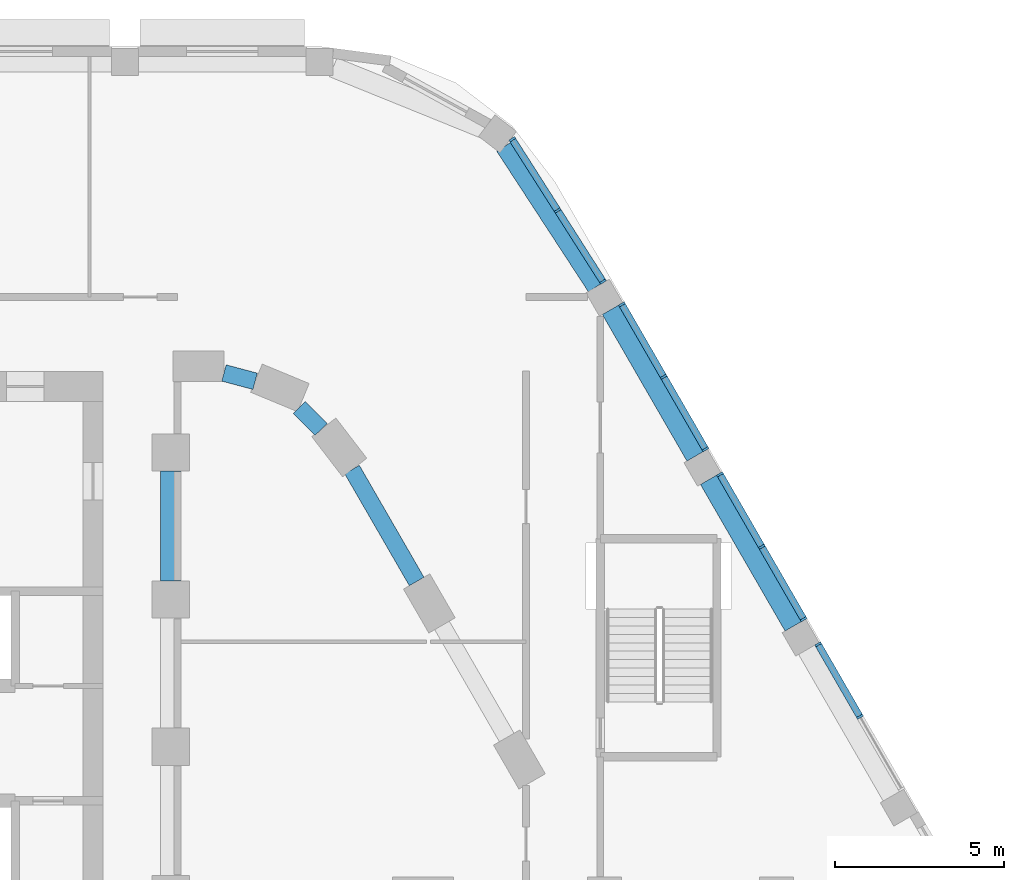
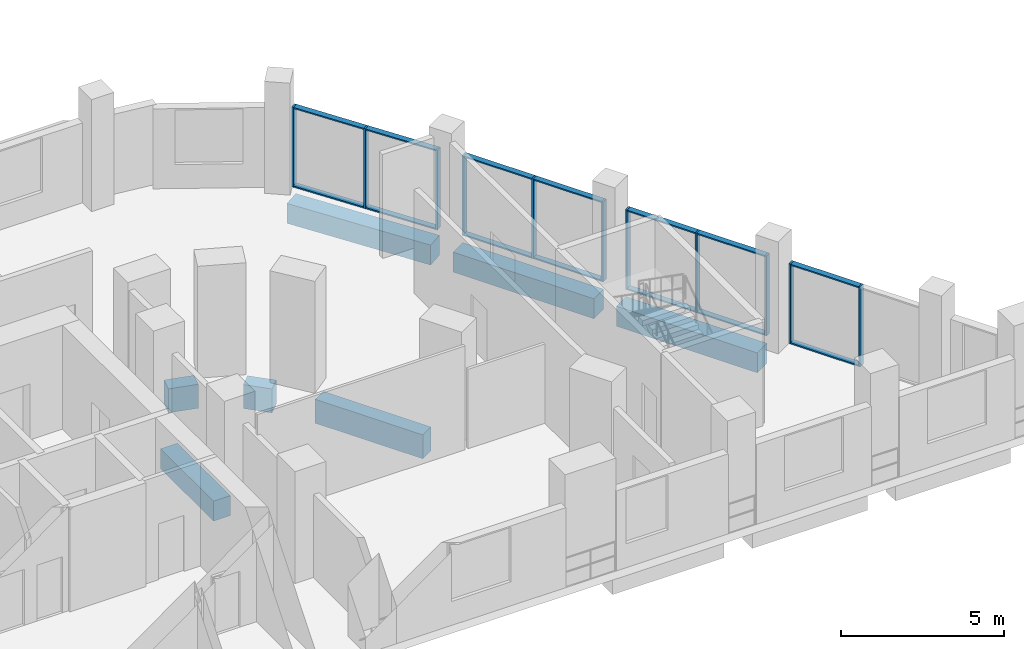
# One storey, part 4 of 33: 25 members, 7 beams, 4 elements without a shape of their own.
"""IFC4 building model written with IfcOpenShell, lengths in metres."""

import ifcopenshell
import ifcopenshell.guid

model = None  # the IFC model being written
_history = None  # IfcOwnerHistory: only IFC2X3 demands one
_inside = {}  # id of a spatial element -> (the spatial element, [elements in it])
_under = {}  # id of a project, library or spatial element -> (it, [spatial elements below it])
_declared = {}  # id of a project -> (the project, [libraries it declares])
_typed = {}  # id of a type object -> (the type object, [elements of that type])
_made_of = {}  # id of a material, layer set ... -> (it, [elements and type objects made of it])


def new_model(schema):
    """Start an empty IFC model of exactly this schema.

    Asked for "IFC4X3", IfcOpenShell would pick the latest addendum, in which some entities
    have other attributes; the version numbers below select the first issue.
    IFC2X3 requires an IfcOwnerHistory on every rooted entity: one is made here for all.
    """
    global model, _history
    if schema == "IFC4X3":
        model = ifcopenshell.file(schema_version=(4, 3, 0, 0))
    else:
        model = ifcopenshell.file(schema=schema)
    _inside.clear()
    _under.clear()
    _declared.clear()
    _typed.clear()
    _made_of.clear()
    _history = None
    if model.schema == "IFC2X3":
        org = make("IfcOrganization", Name="unknown")
        user = make(
            "IfcPersonAndOrganization",
            ThePerson=make("IfcPerson", FamilyName="unknown"),
            TheOrganization=org,
        )
        app = make(
            "IfcApplication",
            ApplicationDeveloper=org,
            Version="unknown",
            ApplicationFullName="unknown",
            ApplicationIdentifier="unknown",
        )
        _history = make(
            "IfcOwnerHistory",
            OwningUser=user,
            OwningApplication=app,
            ChangeAction="ADDED",
            CreationDate=0,
        )
    return model


def make(cls, **values):
    """One entity of the class cls with the attributes given. An attribute that is None is left unset."""
    return model.create_entity(
        cls, **{name: value for name, value in values.items() if value is not None}
    )


def rooted(cls, **values):
    """An entity with a GlobalId (a new one), such as an element, a storey or a relation."""
    return make(cls, GlobalId=ifcopenshell.guid.new(), OwnerHistory=_history, **values)


def si_unit(unit_type, name, prefix=None):
    """IfcSIUnit, for example si_unit("LENGTHUNIT", "METRE", prefix="MILLI")."""
    return make("IfcSIUnit", UnitType=unit_type, Prefix=prefix, Name=name)


def assignment(units):
    """IfcUnitAssignment: the units of a project."""
    return None if units is None else make("IfcUnitAssignment", Units=units)


def point(xyz):
    """IfcCartesianPoint."""
    return None if xyz is None else make("IfcCartesianPoint", Coordinates=xyz)


def direction(xyz):
    """IfcDirection."""
    return None if xyz is None else make("IfcDirection", DirectionRatios=xyz)


def frame(location, z_axis=None, x_axis=None):
    """IfcAxis2Placement3D, a coordinate frame: its origin and axes. An axis left out is left unset."""
    return make(
        "IfcAxis2Placement3D",
        Location=point(location),
        Axis=direction(z_axis),
        RefDirection=direction(x_axis),
    )


def frame_2d(location, x_axis=None):
    """IfcAxis2Placement2D, a coordinate frame in the plane: its origin and x axis."""
    return make(
        "IfcAxis2Placement2D", Location=point(location), RefDirection=direction(x_axis)
    )


def origin():
    """The frame at (0, 0, 0) with its axes left unset."""
    return frame((0.0, 0.0, 0.0))


def origin_2d():
    """The frame at (0, 0) in the plane with its x axis left unset."""
    return frame_2d((0.0, 0.0))


def place(relative_to, where):
    """IfcLocalPlacement: puts the frame where relative to a parent placement (None: the world)."""
    return make(
        "IfcLocalPlacement", PlacementRelTo=relative_to, RelativePlacement=where
    )


def context(
    kind, dimensions, precision=None, world=None, true_north=None, identifier=None
):
    """IfcGeometricRepresentationContext, for example the 3D "Model" context."""
    return make(
        "IfcGeometricRepresentationContext",
        ContextIdentifier=identifier,
        ContextType=kind,
        CoordinateSpaceDimension=dimensions,
        Precision=precision,
        WorldCoordinateSystem=world,
        TrueNorth=true_north,
    )


def subcontext(parent, identifier, kind, view, scale=None):
    """IfcGeometricRepresentationSubContext, for example "Body" below "Model"."""
    return make(
        "IfcGeometricRepresentationSubContext",
        ContextIdentifier=identifier,
        ContextType=kind,
        ParentContext=parent,
        TargetScale=scale,
        TargetView=view,
    )


def project(units=None, contexts=None):
    """IfcProject with its units and contexts."""
    return rooted(
        "IfcProject",
        Name="project",
        RepresentationContexts=contexts,
        UnitsInContext=assignment(units),
    )


def spatial(cls, under=None, at=None, **own):
    """A site, building, storey or space (cls), placed at a placement, below another one or the project."""
    s = rooted(cls, ObjectPlacement=at, **own)
    if under is not None:
        _under.setdefault(under.id(), (under, []))[1].append(s)
    return s


def profile(cls, at=None, kind="AREA", **sizes):
    """A parametric profile (cls). Its sizes go by their IFC names, for example OverallWidth=200.0."""
    return make(cls, ProfileType=kind, Position=at, **sizes)


def rectangle(**sizes):
    """IfcRectangleProfileDef."""
    return profile("IfcRectangleProfileDef", **sizes)


def extrude(swept, where, along, depth):
    """IfcExtrudedAreaSolid: the profile swept, set in the frame where, extruded along a direction by depth."""
    return make(
        "IfcExtrudedAreaSolid",
        SweptArea=swept,
        Position=where,
        ExtrudedDirection=direction(along),
        Depth=depth,
    )


def shape(context_of_items, identifier, shape_type, items):
    """IfcShapeRepresentation: the items that make up one representation, for example the "Body"."""
    return make(
        "IfcShapeRepresentation",
        ContextOfItems=context_of_items,
        RepresentationIdentifier=identifier,
        RepresentationType=shape_type,
        Items=items,
    )


def material(Name=None, Category=None):
    """IfcMaterial."""
    return make("IfcMaterial", Name=Name, Category=Category)


def layer(
    of_material, thickness, ventilated=None, Name=None, Category=None, Priority=None
):
    """IfcMaterialLayer: one layer of a wall or slab, of a material (None: an air gap)."""
    return make(
        "IfcMaterialLayer",
        Material=of_material,
        LayerThickness=thickness,
        IsVentilated=ventilated,
        Name=Name,
        Category=Category,
        Priority=Priority,
    )


def layer_set(layers, Name=None):
    """IfcMaterialLayerSet."""
    return make("IfcMaterialLayerSet", MaterialLayers=layers, LayerSetName=Name)


def material_profile(
    of_material, cross_section, Name=None, Category=None, Priority=None
):
    """IfcMaterialProfile: a cross section and its material."""
    return make(
        "IfcMaterialProfile",
        Name=Name,
        Material=of_material,
        Profile=cross_section,
        Priority=Priority,
        Category=Category,
    )


def profile_set(profiles, Name=None, composite=None):
    """IfcMaterialProfileSet."""
    return make(
        "IfcMaterialProfileSet",
        Name=Name,
        MaterialProfiles=profiles,
        CompositeProfile=composite,
    )


def made_of(thing, what):
    """Note that an element or type object is made of a material, layer set ...; save() writes the relation."""
    if what is not None:
        _made_of.setdefault(what.id(), (what, []))[1].append(thing)
    return thing


def type_object(cls, material=None, **own):
    """A type object (cls), such as IfcWallType, which elements share."""
    return made_of(rooted(cls, **own), material)


def element(
    cls,
    number,
    at=None,
    inside=None,
    cuts=None,
    type_object=None,
    material=None,
    context=None,
    identifier="Body",
    shape_type=None,
    held_by="IfcProductDefinitionShape",
    body=None,
    shapes=None,
    **own,
):
    """One element of the class cls, such as IfcWall. Its Tag is "e" and its number.

    at: its placement. inside: the storey or other place that contains it. cuts: it is an
    opening in that element (IfcRelVoidsElement). A single representation is given by context,
    identifier, shape_type and body (its items); several are given by shapes. held_by: the class
    of the entity that holds the representations. save() writes the other relations.
    """
    e = rooted(cls, Tag="e%d" % number, ObjectPlacement=at, **own)
    if body is not None:
        shapes = [shape(context, identifier, shape_type, body)]
    if shapes is not None:
        e.Representation = make(held_by, Representations=shapes)
    if inside is not None:
        _inside.setdefault(inside.id(), (inside, []))[1].append(e)
    if cuts is not None:
        rooted(
            "IfcRelVoidsElement", RelatingBuildingElement=cuts, RelatedOpeningElement=e
        )
    if type_object is not None:
        _typed.setdefault(type_object.id(), (type_object, []))[1].append(e)
    return made_of(e, material)


def aggregate(whole, parts):
    """IfcRelAggregates: a whole, such as a stair, and the parts it consists of."""
    return rooted("IfcRelAggregates", RelatingObject=whole, RelatedObjects=parts)


def save(model, path):
    """Write the relations noted so far, then the file.

    IfcRelAggregates (storeys below a building ...), IfcRelContainedInSpatialStructure (elements
    in a storey), IfcRelDefinesByType, IfcRelAssociatesMaterial and IfcRelDeclares: one each for
    every whole, place, type object, material and project.
    """
    for whole, parts in _under.values():
        aggregate(whole, parts)
    for where, things in _inside.values():
        rooted(
            "IfcRelContainedInSpatialStructure",
            RelatedElements=things,
            RelatingStructure=where,
        )
    for kind, things in _typed.values():
        rooted("IfcRelDefinesByType", RelatedObjects=things, RelatingType=kind)
    for what, things in _made_of.values():
        rooted("IfcRelAssociatesMaterial", RelatedObjects=things, RelatingMaterial=what)
    for by, libraries in _declared.values():
        rooted("IfcRelDeclares", RelatingContext=by, RelatedDefinitions=libraries)
    model.write(path)


model = new_model("IFC4")

# Units and contexts
model_context = context("Model", 3, precision=1e-05, world=origin(), true_north=direction((0.0, 1.0)))
body_context = subcontext(model_context, "Body", "Model", "MODEL_VIEW")
ifc_project = project(units=[si_unit("LENGTHUNIT", "METRE"), si_unit("AREAUNIT", "SQUARE_METRE"), si_unit("VOLUMEUNIT", "CUBIC_METRE"), si_unit("PLANEANGLEUNIT", "RADIAN"), si_unit("MASSUNIT", "GRAM", prefix="KILO")], contexts=[model_context])

# Site, building, storey
site_placement = place(None, origin())
site = spatial("IfcSite", under=ifc_project, at=site_placement, CompositionType="ELEMENT")
building_placement = place(site_placement, origin())
building = spatial("IfcBuilding", under=site, at=building_placement, Name="Nakaniwa Court", CompositionType="ELEMENT")
storey_placement = place(building_placement, frame((0.0, 0.0, 19.800048828125)))
storey = spatial("IfcBuildingStorey", under=building, at=storey_placement, Name="L04", CompositionType="ELEMENT", Elevation=19.800048828125)

# Beams
ifc_material_1 = material(Name="Concrete C100/115", Category="concrete")
ifc_material_profile_1 = material_profile(ifc_material_1, rectangle(XDim=0.5, YDim=0.89990234375, at=origin_2d()), Name="Concrete C100/115 RC 500x900 spandrel beam")
ifc_profile_set_1 = profile_set([ifc_material_profile_1], Name="Concrete C100/115")
beam_type_1 = type_object("IfcBeamType", Name="Concrete C100/115 RC 500x900 spandrel beam", PredefinedType="BEAM", material=ifc_profile_set_1)
beam_1_placement = place(storey_placement, frame((97.2705078125, 97.1865234375, -0.75), z_axis=(-0.500023067617, 0.86601208528, 0.0), x_axis=(-0.86601208528, -0.500023067617, 0.0)))
element("IfcBeam", 1, at=beam_1_placement, inside=storey, type_object=beam_type_1, Name="SPANDREL BEAM", PredefinedType="BEAM", context=body_context, shape_type="SweptSolid", body=[
    extrude(rectangle(XDim=0.5, YDim=0.89990234375, at=origin_2d()), origin(), (0.0, 0.0, 1.0), 3.819580078125),
])
beam_2_placement = place(storey_placement, frame((94.448486328125, 101.68505859375, -0.75), z_axis=(-0.705908410536, 0.708303124329, 0.0), x_axis=(-0.708303124329, -0.705908410536, 0.0)))
element("IfcBeam", 2, at=beam_2_placement, inside=storey, type_object=beam_type_1, Name="SPANDREL BEAM", PredefinedType="BEAM", context=body_context, shape_type="SweptSolid", body=[
    extrude(rectangle(XDim=0.5, YDim=0.89990234375, at=origin_2d()), origin(), (0.0, 0.0, 1.0), 0.91748046875),
])
beam_3_placement = place(storey_placement, frame((92.49609375, 103.10498046875, -0.75), z_axis=(-0.966324126494, 0.257327966912, 0.0), x_axis=(-0.257327966912, -0.966324126494, 0.0)))
element("IfcBeam", 3, at=beam_3_placement, inside=storey, type_object=beam_type_1, Name="SPANDREL BEAM", PredefinedType="BEAM", context=body_context, shape_type="SweptSolid", body=[
    extrude(rectangle(XDim=0.5, YDim=0.89990234375, at=origin_2d()), origin(), (0.0, 0.0, 1.0), 0.95361328125),
])
ifc_material_profile_2 = material_profile(ifc_material_1, rectangle(XDim=0.60009765625, YDim=0.75, at=origin_2d()), Name="Concrete C100/115 RC 600x750 ring beam")
ifc_profile_set_2 = profile_set([ifc_material_profile_2], Name="Concrete C100/115")
beam_type_2 = type_object("IfcBeamType", Name="Concrete C100/115 RC 600x750 ring beam", PredefinedType="BEAM", material=ifc_profile_set_2)
beam_4_placement = place(storey_placement, frame((90.0, 97.199951171875, -0.675048828125), z_axis=(0.0, 1.0, 0.0), x_axis=(-1.0, 0.0, 0.0)))
element("IfcBeam", 4, at=beam_4_placement, inside=storey, type_object=beam_type_2, Name="RING BEAM", PredefinedType="BEAM", context=body_context, shape_type="SweptSolid", body=[
    extrude(rectangle(XDim=0.60009765625, YDim=0.75, at=origin_2d()), origin(), (0.0, 0.0, 1.0), 3.25),
])
beam_5_placement = place(storey_placement, frame((108.422119140625, 95.87158203125, -0.675048828125), z_axis=(-0.499997052475, 0.866027105532, 0.0), x_axis=(-0.866027105532, -0.499997052475, 0.0)))
element("IfcBeam", 5, at=beam_5_placement, inside=storey, type_object=beam_type_2, Name="RING BEAM", PredefinedType="BEAM", context=body_context, shape_type="SweptSolid", body=[
    extrude(rectangle(XDim=0.60009765625, YDim=0.75, at=origin_2d()), origin(), (0.0, 0.0, 1.0), 5.00244140625),
])
beam_6_placement = place(storey_placement, frame((105.520751953125, 100.896728515625, -0.675048828125), z_axis=(-0.499981580887, 0.866036037803, 0.0), x_axis=(-0.866036037803, -0.499981580887, 0.0)))
element("IfcBeam", 6, at=beam_6_placement, inside=storey, type_object=beam_type_2, Name="RING BEAM", PredefinedType="BEAM", context=body_context, shape_type="SweptSolid", body=[
    extrude(rectangle(XDim=0.60009765625, YDim=0.75, at=origin_2d()), origin(), (0.0, 0.0, 1.0), 5.002197265625),
])
beam_7_placement = place(storey_placement, frame((102.600830078125, 105.910888671875, -0.675048828125), z_axis=(-0.546240745353, 0.837628227865, 0.0), x_axis=(-0.837628227865, -0.546240745353, 0.0)))
element("IfcBeam", 7, at=beam_7_placement, inside=storey, type_object=beam_type_2, Name="RING BEAM", PredefinedType="BEAM", context=body_context, shape_type="SweptSolid", body=[
    extrude(rectangle(XDim=0.60009765625, YDim=0.75, at=origin_2d()), origin(), (0.0, 0.0, 1.0), 4.95849609375),
])

# Curtain wall, members
ifc_material_2 = material(Name="Black anodised aluminium frame with dark low-E laminated double glazing", Category="aluminium")
ifc_layer = layer(ifc_material_2, 0.199951171875)
ifc_layer_set = layer_set([ifc_layer], Name="Black anodised aluminium frame with dark low-E laminated double glazing")
curtain_wall_type = type_object("IfcCurtainWallType", Name="Podium unitised curtain wall", PredefinedType="NOTDEFINED", material=ifc_layer_set)
curtain_wall_1_placement = place(storey_placement, origin())
curtain_wall_1 = element("IfcCurtainWall", 8, at=curtain_wall_1_placement, inside=storey, type_object=curtain_wall_type, Name="L04 curtain wall CW1 40", PredefinedType="NOTDEFINED")
ifc_material_3 = material(Name="Black anodised aluminium extrusion", Category="aluminium")
ifc_material_profile_3 = material_profile(ifc_material_3, rectangle(XDim=0.199951171875, YDim=0.06494140625, at=origin_2d()), Name="Podium unitised curtain wall mullion 65x200")
ifc_profile_set_3 = profile_set([ifc_material_profile_3], Name="Black anodised aluminium extrusion")
member_type_1 = type_object("IfcMemberType", Name="Podium unitised curtain wall mullion 65x200", PredefinedType="MULLION", material=ifc_profile_set_3)
member_1_placement = place(storey_placement, frame((110.375732421875, 93.187744140625, 0.0), z_axis=(0.0, 0.0, 1.0), x_axis=(-0.866032365426, -0.499987941889, 0.0)))
member_1 = element("IfcMember", 9, at=member_1_placement, type_object=member_type_1, Name="CW1 mullion 2", PredefinedType="MULLION", context=body_context, shape_type="SweptSolid", body=[
    extrude(rectangle(XDim=0.199951171875, YDim=0.06494140625, at=origin_2d()), origin(), (0.0, 0.0, 1.0), 3.0),
])
member_2_placement = place(storey_placement, frame((109.139404296875, 95.329345703125, 0.0), z_axis=(0.0, 0.0, 1.0), x_axis=(-0.866032365426, -0.499987941889, 0.0)))
member_2 = element("IfcMember", 10, at=member_2_placement, type_object=member_type_1, Name="CW1 mullion 3", PredefinedType="MULLION", context=body_context, shape_type="SweptSolid", body=[
    extrude(rectangle(XDim=0.199951171875, YDim=0.06494140625, at=origin_2d()), origin(), (0.0, 0.0, 1.0), 3.0),
])

curtain_wall_2_placement = place(storey_placement, origin())
curtain_wall_2 = element("IfcCurtainWall", 11, at=curtain_wall_2_placement, inside=storey, type_object=curtain_wall_type, Name="L04 curtain wall CW1 41", PredefinedType="NOTDEFINED")
member_3_placement = place(storey_placement, frame((108.7109375, 96.0712890625, 0.0), z_axis=(0.0, 0.0, 1.0), x_axis=(-0.866028712692, -0.499994268761, 0.0)))
member_3 = element("IfcMember", 12, at=member_3_placement, type_object=member_type_1, Name="CW1 mullion 1", PredefinedType="MULLION", context=body_context, shape_type="SweptSolid", body=[
    extrude(rectangle(XDim=0.199951171875, YDim=0.06494140625, at=origin_2d()), origin(), (0.0, 0.0, 1.0), 3.0),
])
member_4_placement = place(storey_placement, frame((107.474609375, 98.212890625, 0.0), z_axis=(0.0, 0.0, 1.0), x_axis=(-0.866028712692, -0.499994268761, 0.0)))
member_4 = element("IfcMember", 13, at=member_4_placement, type_object=member_type_1, Name="CW1 mullion 2", PredefinedType="MULLION", context=body_context, shape_type="SweptSolid", body=[
    extrude(rectangle(XDim=0.199951171875, YDim=0.06494140625, at=origin_2d()), origin(), (0.0, 0.0, 1.0), 3.0),
])
member_5_placement = place(storey_placement, frame((106.238037109375, 100.354248046875, 0.0), z_axis=(0.0, 0.0, 1.0), x_axis=(-0.866028712692, -0.499994268761, 0.0)))
member_5 = element("IfcMember", 14, at=member_5_placement, type_object=member_type_1, Name="CW1 mullion 3", PredefinedType="MULLION", context=body_context, shape_type="SweptSolid", body=[
    extrude(rectangle(XDim=0.199951171875, YDim=0.06494140625, at=origin_2d()), origin(), (0.0, 0.0, 1.0), 3.0),
])

curtain_wall_3_placement = place(storey_placement, origin())
curtain_wall_3 = element("IfcCurtainWall", 15, at=curtain_wall_3_placement, inside=storey, type_object=curtain_wall_type, Name="L04 curtain wall CW1 42", PredefinedType="NOTDEFINED")
member_6_placement = place(storey_placement, frame((105.8095703125, 101.096435546875, 0.0), z_axis=(0.0, 0.0, 1.0), x_axis=(-0.866032365426, -0.499987941889, 0.0)))
member_6 = element("IfcMember", 16, at=member_6_placement, type_object=member_type_1, Name="CW1 mullion 1", PredefinedType="MULLION", context=body_context, shape_type="SweptSolid", body=[
    extrude(rectangle(XDim=0.199951171875, YDim=0.06494140625, at=origin_2d()), origin(), (0.0, 0.0, 1.0), 3.0),
])
member_7_placement = place(storey_placement, frame((104.5732421875, 103.23779296875, 0.0), z_axis=(0.0, 0.0, 1.0), x_axis=(-0.866032365426, -0.499987941889, 0.0)))
member_7 = element("IfcMember", 17, at=member_7_placement, type_object=member_type_1, Name="CW1 mullion 2", PredefinedType="MULLION", context=body_context, shape_type="SweptSolid", body=[
    extrude(rectangle(XDim=0.199951171875, YDim=0.06494140625, at=origin_2d()), origin(), (0.0, 0.0, 1.0), 3.0),
])
member_8_placement = place(storey_placement, frame((103.337158203125, 105.379150390625, 0.0), z_axis=(0.0, 0.0, 1.0), x_axis=(-0.866032365426, -0.499987941889, 0.0)))
member_8 = element("IfcMember", 18, at=member_8_placement, type_object=member_type_1, Name="CW1 mullion 3", PredefinedType="MULLION", context=body_context, shape_type="SweptSolid", body=[
    extrude(rectangle(XDim=0.199951171875, YDim=0.06494140625, at=origin_2d()), origin(), (0.0, 0.0, 1.0), 3.0),
])

curtain_wall_4_placement = place(storey_placement, origin())
curtain_wall_4 = element("IfcCurtainWall", 19, at=curtain_wall_4_placement, inside=storey, type_object=curtain_wall_type, Name="L04 curtain wall CW1 43", PredefinedType="NOTDEFINED")
member_9_placement = place(storey_placement, frame((102.780517578125, 106.0498046875, 0.0), z_axis=(0.0, 0.0, 1.0), x_axis=(-0.843171726606, -0.537644342899, 0.0)))
member_9 = element("IfcMember", 20, at=member_9_placement, type_object=member_type_1, Name="CW1 mullion 1", PredefinedType="MULLION", context=body_context, shape_type="SweptSolid", body=[
    extrude(rectangle(XDim=0.199951171875, YDim=0.06494140625, at=origin_2d()), origin(), (0.0, 0.0, 1.0), 3.0),
])
member_10_placement = place(storey_placement, frame((101.438720703125, 108.154296875, 0.0), z_axis=(0.0, 0.0, 1.0), x_axis=(-0.843171726606, -0.537644342899, 0.0)))
member_10 = element("IfcMember", 21, at=member_10_placement, type_object=member_type_1, Name="CW1 mullion 2", PredefinedType="MULLION", context=body_context, shape_type="SweptSolid", body=[
    extrude(rectangle(XDim=0.199951171875, YDim=0.06494140625, at=origin_2d()), origin(), (0.0, 0.0, 1.0), 3.0),
])
member_11_placement = place(storey_placement, frame((100.096923828125, 110.258544921875, 0.0), z_axis=(0.0, 0.0, 1.0), x_axis=(-0.843171726606, -0.537644342899, 0.0)))
member_11 = element("IfcMember", 22, at=member_11_placement, type_object=member_type_1, Name="CW1 mullion 3", PredefinedType="MULLION", context=body_context, shape_type="SweptSolid", body=[
    extrude(rectangle(XDim=0.199951171875, YDim=0.06494140625, at=origin_2d()), origin(), (0.0, 0.0, 1.0), 3.0),
])

# Member
ifc_material_profile_4 = material_profile(ifc_material_3, rectangle(XDim=0.199951171875, YDim=0.050048828125, at=origin_2d()), Name="Podium unitised curtain wall transom 50x200")
ifc_profile_set_4 = profile_set([ifc_material_profile_4], Name="Black anodised aluminium extrusion")
member_type_2 = type_object("IfcMemberType", Name="Podium unitised curtain wall transom 50x200", PredefinedType="USERDEFINED", material=ifc_profile_set_4)
member_12_placement = place(storey_placement, frame((110.359375, 93.216064453125, 0.02490234375), z_axis=(-0.50003260427, 0.866006578882, 0.0), x_axis=(-0.866006578882, -0.50003260427, 0.0)))
member_12 = element("IfcMember", 23, at=member_12_placement, type_object=member_type_2, Name="CW1 transom 2.1", ObjectType="TRANSOM", PredefinedType="USERDEFINED", context=body_context, shape_type="SweptSolid", body=[
    extrude(rectangle(XDim=0.199951171875, YDim=0.050048828125, at=origin_2d()), origin(), (0.0, 0.0, 1.0), 2.407470703125),
])

member_13_placement = place(storey_placement, frame((110.359375, 93.216064453125, 2.974853515625), z_axis=(-0.50003260427, 0.866006578882, 0.0), x_axis=(-0.866006578882, -0.50003260427, 0.0)))
member_13 = element("IfcMember", 24, at=member_13_placement, type_object=member_type_2, Name="CW1 transom 2.2", ObjectType="TRANSOM", PredefinedType="USERDEFINED", context=body_context, shape_type="SweptSolid", body=[
    extrude(rectangle(XDim=0.199951171875, YDim=0.050048828125, at=origin_2d()), origin(), (0.0, 0.0, 1.0), 2.407470703125),
])

aggregate(curtain_wall_1, [member_1, member_2, member_12, member_13])

member_14_placement = place(storey_placement, frame((108.694580078125, 96.099609375, 0.02490234375), z_axis=(-0.50003260427, 0.866006578882, 0.0), x_axis=(-0.866006578882, -0.50003260427, 0.0)))
member_14 = element("IfcMember", 25, at=member_14_placement, type_object=member_type_2, Name="CW1 transom 1.1", ObjectType="TRANSOM", PredefinedType="USERDEFINED", context=body_context, shape_type="SweptSolid", body=[
    extrude(rectangle(XDim=0.199951171875, YDim=0.050048828125, at=origin_2d()), origin(), (0.0, 0.0, 1.0), 2.407470703125),
])

member_15_placement = place(storey_placement, frame((108.694580078125, 96.099609375, 2.974853515625), z_axis=(-0.50003260427, 0.866006578882, 0.0), x_axis=(-0.866006578882, -0.50003260427, 0.0)))
member_15 = element("IfcMember", 26, at=member_15_placement, type_object=member_type_2, Name="CW1 transom 1.2", ObjectType="TRANSOM", PredefinedType="USERDEFINED", context=body_context, shape_type="SweptSolid", body=[
    extrude(rectangle(XDim=0.199951171875, YDim=0.050048828125, at=origin_2d()), origin(), (0.0, 0.0, 1.0), 2.407470703125),
])

member_16_placement = place(storey_placement, frame((107.458251953125, 98.240966796875, 0.02490234375), z_axis=(-0.499988695522, 0.866031930329, 0.0), x_axis=(-0.866031930329, -0.499988695522, 0.0)))
member_16 = element("IfcMember", 27, at=member_16_placement, type_object=member_type_2, Name="CW1 transom 2.1", ObjectType="TRANSOM", PredefinedType="USERDEFINED", context=body_context, shape_type="SweptSolid", body=[
    extrude(rectangle(XDim=0.199951171875, YDim=0.050048828125, at=origin_2d()), origin(), (0.0, 0.0, 1.0), 2.40771484375),
])

member_17_placement = place(storey_placement, frame((107.458251953125, 98.240966796875, 2.974853515625), z_axis=(-0.499988695522, 0.866031930329, 0.0), x_axis=(-0.866031930329, -0.499988695522, 0.0)))
member_17 = element("IfcMember", 28, at=member_17_placement, type_object=member_type_2, Name="CW1 transom 2.2", ObjectType="TRANSOM", PredefinedType="USERDEFINED", context=body_context, shape_type="SweptSolid", body=[
    extrude(rectangle(XDim=0.199951171875, YDim=0.050048828125, at=origin_2d()), origin(), (0.0, 0.0, 1.0), 2.40771484375),
])

aggregate(curtain_wall_2, [member_3, member_4, member_5, member_14, member_15, member_16, member_17])

member_18_placement = place(storey_placement, frame((105.79345703125, 101.12451171875, 0.02490234375), z_axis=(-0.499988695522, 0.866031930329, 0.0), x_axis=(-0.866031930329, -0.499988695522, 0.0)))
member_18 = element("IfcMember", 29, at=member_18_placement, type_object=member_type_2, Name="CW1 transom 1.1", ObjectType="TRANSOM", PredefinedType="USERDEFINED", context=body_context, shape_type="SweptSolid", body=[
    extrude(rectangle(XDim=0.199951171875, YDim=0.050048828125, at=origin_2d()), origin(), (0.0, 0.0, 1.0), 2.40771484375),
])

member_19_placement = place(storey_placement, frame((105.79345703125, 101.12451171875, 2.974853515625), z_axis=(-0.499988695522, 0.866031930329, 0.0), x_axis=(-0.866031930329, -0.499988695522, 0.0)))
member_19 = element("IfcMember", 30, at=member_19_placement, type_object=member_type_2, Name="CW1 transom 1.2", ObjectType="TRANSOM", PredefinedType="USERDEFINED", context=body_context, shape_type="SweptSolid", body=[
    extrude(rectangle(XDim=0.199951171875, YDim=0.050048828125, at=origin_2d()), origin(), (0.0, 0.0, 1.0), 2.40771484375),
])

member_20_placement = place(storey_placement, frame((104.55712890625, 103.265869140625, 0.02490234375), z_axis=(-0.499988695522, 0.866031930329, 0.0), x_axis=(-0.866031930329, -0.499988695522, 0.0)))
member_20 = element("IfcMember", 31, at=member_20_placement, type_object=member_type_2, Name="CW1 transom 2.1", ObjectType="TRANSOM", PredefinedType="USERDEFINED", context=body_context, shape_type="SweptSolid", body=[
    extrude(rectangle(XDim=0.199951171875, YDim=0.050048828125, at=origin_2d()), origin(), (0.0, 0.0, 1.0), 2.40771484375),
])

member_21_placement = place(storey_placement, frame((104.55712890625, 103.265869140625, 2.974853515625), z_axis=(-0.499988695522, 0.866031930329, 0.0), x_axis=(-0.866031930329, -0.499988695522, 0.0)))
member_21 = element("IfcMember", 32, at=member_21_placement, type_object=member_type_2, Name="CW1 transom 2.2", ObjectType="TRANSOM", PredefinedType="USERDEFINED", context=body_context, shape_type="SweptSolid", body=[
    extrude(rectangle(XDim=0.199951171875, YDim=0.050048828125, at=origin_2d()), origin(), (0.0, 0.0, 1.0), 2.40771484375),
])

aggregate(curtain_wall_3, [member_6, member_7, member_8, member_18, member_19, member_20, member_21])

member_22_placement = place(storey_placement, frame((102.762939453125, 106.077392578125, 0.02490234375), z_axis=(-0.537642140541, 0.843173130925, 0.0), x_axis=(-0.843173130925, -0.537642140541, 0.0)))
member_22 = element("IfcMember", 33, at=member_22_placement, type_object=member_type_2, Name="CW1 transom 1.1", ObjectType="TRANSOM", PredefinedType="USERDEFINED", context=body_context, shape_type="SweptSolid", body=[
    extrude(rectangle(XDim=0.199951171875, YDim=0.050048828125, at=origin_2d()), origin(), (0.0, 0.0, 1.0), 2.4306640625),
])

member_23_placement = place(storey_placement, frame((102.762939453125, 106.077392578125, 2.974853515625), z_axis=(-0.537642140541, 0.843173130925, 0.0), x_axis=(-0.843173130925, -0.537642140541, 0.0)))
member_23 = element("IfcMember", 34, at=member_23_placement, type_object=member_type_2, Name="CW1 transom 1.2", ObjectType="TRANSOM", PredefinedType="USERDEFINED", context=body_context, shape_type="SweptSolid", body=[
    extrude(rectangle(XDim=0.199951171875, YDim=0.050048828125, at=origin_2d()), origin(), (0.0, 0.0, 1.0), 2.4306640625),
])

member_24_placement = place(storey_placement, frame((101.421142578125, 108.181640625, 0.02490234375), z_axis=(-0.537642140541, 0.843173130925, 0.0), x_axis=(-0.843173130925, -0.537642140541, 0.0)))
member_24 = element("IfcMember", 35, at=member_24_placement, type_object=member_type_2, Name="CW1 transom 2.1", ObjectType="TRANSOM", PredefinedType="USERDEFINED", context=body_context, shape_type="SweptSolid", body=[
    extrude(rectangle(XDim=0.199951171875, YDim=0.050048828125, at=origin_2d()), origin(), (0.0, 0.0, 1.0), 2.4306640625),
])

member_25_placement = place(storey_placement, frame((101.421142578125, 108.181640625, 2.974853515625), z_axis=(-0.537642140541, 0.843173130925, 0.0), x_axis=(-0.843173130925, -0.537642140541, 0.0)))
member_25 = element("IfcMember", 36, at=member_25_placement, type_object=member_type_2, Name="CW1 transom 2.2", ObjectType="TRANSOM", PredefinedType="USERDEFINED", context=body_context, shape_type="SweptSolid", body=[
    extrude(rectangle(XDim=0.199951171875, YDim=0.050048828125, at=origin_2d()), origin(), (0.0, 0.0, 1.0), 2.4306640625),
])

aggregate(curtain_wall_4, [member_9, member_10, member_11, member_22, member_23, member_24, member_25])

save(model, "model.ifc")
